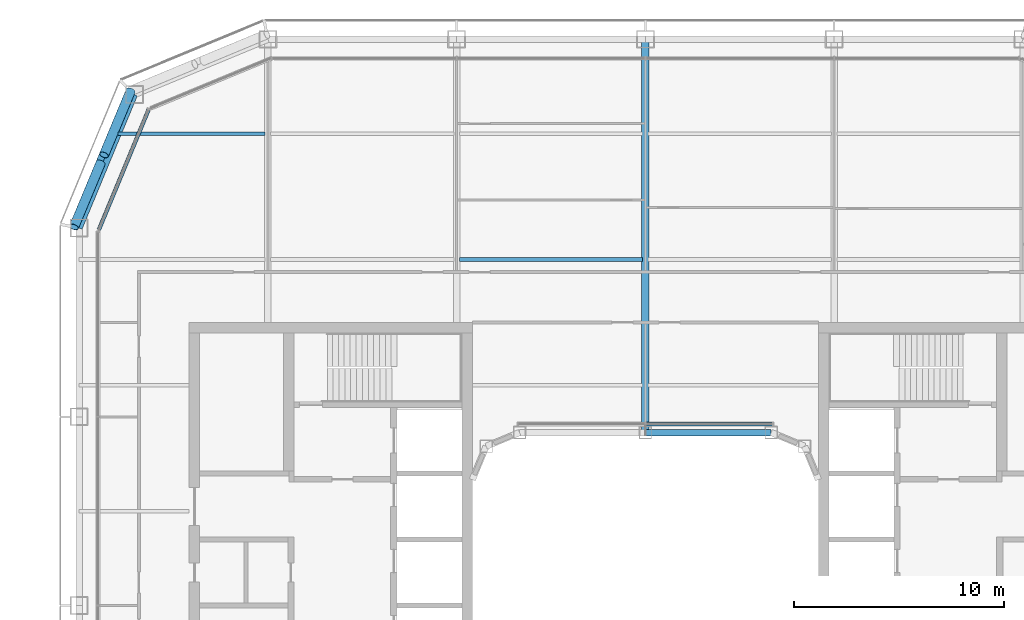
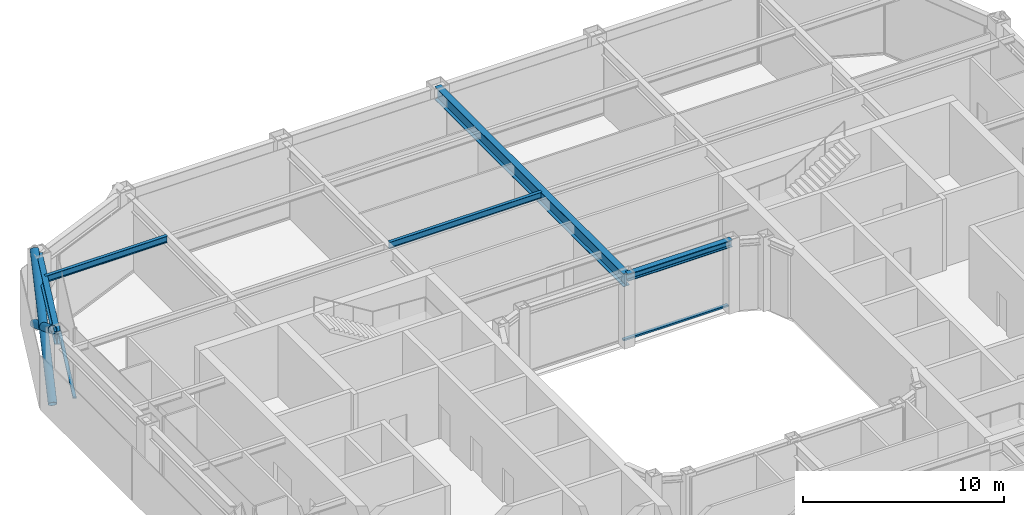
# One storey, part 7 of 24: 5 beams, 5 members, 2 elements without a shape of their own.
"""IFC4 building model written with IfcOpenShell, lengths in metres."""

from ifc_helpers import new_model, si_unit, direction, frame, origin, origin_2d, place, context, subcontext, project, spatial, rectangle, hollow_circle, i_section, extrude, material, layer, layer_set, material_profile, profile_set, type_object, element, aggregate, save


model = new_model("IFC4")

# Units and contexts
model_context = context("Model", 3, precision=1e-05, world=origin(), true_north=direction((0.0, 1.0)))
body_context = subcontext(model_context, "Body", "Model", "MODEL_VIEW")
ifc_project = project(units=[si_unit("LENGTHUNIT", "METRE"), si_unit("AREAUNIT", "SQUARE_METRE"), si_unit("VOLUMEUNIT", "CUBIC_METRE"), si_unit("PLANEANGLEUNIT", "RADIAN"), si_unit("MASSUNIT", "GRAM", prefix="KILO")], contexts=[model_context])

# Site, building, storey
site_placement = place(None, origin())
site = spatial("IfcSite", under=ifc_project, at=site_placement, CompositionType="ELEMENT")
building_placement = place(site_placement, origin())
building = spatial("IfcBuilding", under=site, at=building_placement, Name="Siwar Civic Tower", CompositionType="ELEMENT")
storey_placement = place(building_placement, frame((0.0, 0.0, 215.199951171875)))
storey = spatial("IfcBuildingStorey", under=building, at=storey_placement, Name="L46", CompositionType="ELEMENT", Elevation=215.199951171875)

# Curtain wall, member
ifc_material_1 = material(Name="Aluminium clad insulated panel", Category="aluminium")
ifc_layer_1 = layer(ifc_material_1, 0.179931640625)
ifc_layer_set_1 = layer_set([ifc_layer_1], Name="Aluminium clad insulated panel")
curtain_wall_type_1 = type_object("IfcCurtainWallType", Name="ENV-CW-CX", PredefinedType="NOTDEFINED", material=ifc_layer_set_1)
curtain_wall_1_placement = place(storey_placement, origin())
curtain_wall_1 = element("IfcCurtainWall", 1, at=curtain_wall_1_placement, inside=storey, type_object=curtain_wall_type_1, Name="Curtain wall C NW2", PredefinedType="NOTDEFINED")
ifc_material_2 = material(Name="Aluminium 6063-T6", Category="aluminium")
ifc_material_profile_1 = material_profile(ifc_material_2, rectangle(XDim=0.179931640625, YDim=0.10009765625, at=origin_2d()), Name="AL 180x100")
ifc_profile_set_1 = profile_set([ifc_material_profile_1], Name="Aluminium 6063-T6")
member_type_1 = type_object("IfcMemberType", Name="ENV-TRANSOM-C", PredefinedType="USERDEFINED", material=ifc_profile_set_1)
member_1_placement = place(storey_placement, frame((-23.6865234375, 23.6474609375, 0.050048828125), z_axis=(-0.382691366456, -0.923876246063, 0.0), x_axis=(0.923876246063, -0.382691366456, 0.0)))
member_1 = element("IfcMember", 2, at=member_1_placement, type_object=member_type_1, Name="Transom C NW2 1", ObjectType="TRANSOM", PredefinedType="USERDEFINED", context=body_context, shape_type="SweptSolid", body=[
    extrude(rectangle(XDim=0.179931640625, YDim=0.10009765625, at=origin_2d()), origin(), (0.0, 0.0, 1.0), 6.20166015625),
])
aggregate(curtain_wall_1, [member_1])

ifc_material_3 = material(Name="Aluminium and glass", Category="aluminium")
ifc_layer_2 = layer(ifc_material_3, 0.179931640625)
ifc_layer_set_2 = layer_set([ifc_layer_2], Name="Aluminium and glass")
curtain_wall_type_2 = type_object("IfcCurtainWallType", Name="ENV-CW-W", PredefinedType="NOTDEFINED", material=ifc_layer_set_2)
curtain_wall_2_placement = place(storey_placement, origin())
curtain_wall_2 = element("IfcCurtainWall", 3, at=curtain_wall_2_placement, inside=storey, type_object=curtain_wall_type_2, Name="Curtain wall W WN", PredefinedType="NOTDEFINED")
ifc_material_4 = material(Name="Aluminium 6063-T6", Category="aluminium")
ifc_material_profile_2 = material_profile(ifc_material_4, rectangle(XDim=0.179931640625, YDim=0.10009765625, at=origin_2d()), Name="AL 180x100")
ifc_profile_set_2 = profile_set([ifc_material_profile_2], Name="Aluminium 6063-T6")
member_type_2 = type_object("IfcMemberType", Name="ENV-TRANSOM-W", PredefinedType="USERDEFINED", material=ifc_profile_set_2)
member_2_placement = place(storey_placement, frame((6.051513671875, 8.659912109375, 0.050048828125), z_axis=(-1.0, 0.0, 0.0), x_axis=(0.0, -1.0, 0.0)))
member_2 = element("IfcMember", 4, at=member_2_placement, type_object=member_type_2, Name="Transom W WN 1", ObjectType="TRANSOM", PredefinedType="USERDEFINED", context=body_context, shape_type="SweptSolid", body=[
    extrude(rectangle(XDim=0.179931640625, YDim=0.10009765625, at=origin_2d()), origin(), (0.0, 0.0, 1.0), 6.021484375),
])
aggregate(curtain_wall_2, [member_2])

# Members
ifc_material_5 = material(Name="Steel S355", Category="steel")
ifc_material_profile_3 = material_profile(ifc_material_5, hollow_circle(Radius=0.228515625, WallThickness=0.02001953125, at=origin_2d()), Name="CHS457x20")
ifc_profile_set_3 = profile_set([ifc_material_profile_3], Name="Steel S355")
member_type_3 = type_object("IfcMemberType", Name="STR-BR-CHS457x20", PredefinedType="BRACE", material=ifc_profile_set_3)
member_3_placement = place(storey_placement, frame((-27.2451171875, 18.048828125, 0.0), z_axis=(0.323905527954, 0.777554562952, 0.538975055633), x_axis=(-0.923108759191, 0.384538969033, 0.0)))
element("IfcMember", 5, at=member_3_placement, inside=storey, type_object=member_type_3, Name="L46/brc/CNW1-6-0-1", PredefinedType="BRACE", context=body_context, shape_type="SweptSolid", body=[
    extrude(hollow_circle(Radius=0.228515625, WallThickness=0.02001953125, at=origin_2d()), origin(), (0.0, 0.0, 1.0), 8.34912109375),
])
for number, where, z_axis, x_axis, name in (
    (6, (-24.540771484375, 24.540771484375, 0.0), (-0.323884455881, -0.777546448489, 0.538999424564), (0.92311621485, -0.38452107079, 0.0), "L46/brc/CNW1-6-0-2"),
    (7, (-25.972900390625, 21.10302734375, 2.383056640625), (-0.323895306243, -0.777572496853, 0.538955325357), (0.92311621485, -0.38452107079, 0.0), "L46/brc/CNW1-6-0-3"),
):
    element("IfcMember", number, at=place(storey_placement, frame(where, z_axis=z_axis, x_axis=x_axis)), inside=storey, type_object=member_type_3, Name=name, PredefinedType="BRACE", context=body_context, shape_type="SweptSolid", body=[
        extrude(hollow_circle(Radius=0.228515625, WallThickness=0.02001953125, at=origin_2d()), origin(), (0.0, 0.0, 1.0), 3.927978515625),
    ])

# Beams
ifc_material_6 = material(Name="Steel S355", Category="steel")
ifc_material_profile_4 = material_profile(ifc_material_6, i_section(OverallWidth=0.179931640625, OverallDepth=0.39990234375, WebThickness=0.008544921875, FlangeThickness=0.013427734375, FilletRadius=0.02099609375, at=origin_2d()), Name="IPE400")
ifc_profile_set_4 = profile_set([ifc_material_profile_4], Name="Steel S355")
beam_type_1 = type_object("IfcBeamType", Name="STR-FB-IPE400", PredefinedType="JOIST", material=ifc_profile_set_4)
beam_1_placement = place(storey_placement, frame((-8.8701171875, 16.5, 4.150146484375), z_axis=(1.0, 0.0, 0.0), x_axis=(0.0, 1.0, 0.0)))
element("IfcBeam", 8, at=beam_1_placement, inside=storey, type_object=beam_type_1, Name="L46/bm/F033", PredefinedType="JOIST", context=body_context, shape_type="SweptSolid", body=[
    extrude(i_section(OverallWidth=0.179931640625, OverallDepth=0.39990234375, WebThickness=0.008544921875, FlangeThickness=0.013427734375, FilletRadius=0.02099609375, at=origin_2d()), origin(), (0.0, 0.0, 1.0), 8.740234375),
])
beam_2_placement = place(storey_placement, frame((-25.135986328125, 22.5, 4.150146484375), z_axis=(1.0, 0.0, 0.0), x_axis=(0.0, 1.0, 0.0)))
element("IfcBeam", 9, at=beam_2_placement, inside=storey, type_object=beam_type_1, Name="L46/bm/F037", PredefinedType="JOIST", context=body_context, shape_type="SweptSolid", body=[
    extrude(i_section(OverallWidth=0.179931640625, OverallDepth=0.39990234375, WebThickness=0.008544921875, FlangeThickness=0.013427734375, FilletRadius=0.02099609375, at=origin_2d()), origin(), (0.0, 0.0, 1.0), 7.006103515625),
])
ifc_material_7 = material(Name="Steel S355", Category="steel")
ifc_material_profile_5 = material_profile(ifc_material_7, i_section(OverallWidth=0.360107421875, OverallDepth=0.800048828125, WebThickness=0.013916015625, FlangeThickness=0.031982421875, at=origin_2d()), Name="PG800x360x14x32")
ifc_profile_set_5 = profile_set([ifc_material_profile_5], Name="Steel S355")
beam_type_2 = type_object("IfcBeamType", Name="STR-PG-PG800x360x14x32", PredefinedType="BEAM", material=ifc_profile_set_5)
beam_3_placement = place(storey_placement, frame((0.0, 8.25, 3.949951171875), z_axis=(0.0, 1.0, 0.0), x_axis=(-1.0, 0.0, 0.0)))
element("IfcBeam", 10, at=beam_3_placement, inside=storey, type_object=beam_type_2, Name="L46/bm/G06", PredefinedType="BEAM", context=body_context, shape_type="SweptSolid", body=[
    extrude(i_section(OverallWidth=0.360107421875, OverallDepth=0.800048828125, WebThickness=0.013916015625, FlangeThickness=0.031982421875, at=origin_2d()), origin(), (0.0, 0.0, 1.0), 18.75),
])
ifc_material_8 = material(Name="Steel S355", Category="steel")
ifc_material_profile_6 = material_profile(ifc_material_8, i_section(OverallWidth=0.306884765625, OverallDepth=0.431884765625, WebThickness=0.02099609375, FlangeThickness=0.0400390625, FilletRadius=0.027099609375, at=origin_2d()), Name="HEM400")
ifc_profile_set_6 = profile_set([ifc_material_profile_6], Name="Steel S355")
beam_type_3 = type_object("IfcBeamType", Name="STR-RB-HEM400", PredefinedType="BEAM", material=ifc_profile_set_6)
beam_4_placement = place(storey_placement, frame((0.0, 8.25, 4.134033203125), z_axis=(1.0, 0.0, 0.0), x_axis=(0.0, 1.0, 0.0)))
element("IfcBeam", 11, at=beam_4_placement, inside=storey, type_object=beam_type_3, Name="L46/bm/RN2", PredefinedType="BEAM", context=body_context, shape_type="SweptSolid", body=[
    extrude(i_section(OverallWidth=0.306884765625, OverallDepth=0.431884765625, WebThickness=0.02099609375, FlangeThickness=0.0400390625, FilletRadius=0.027099609375, at=origin_2d()), origin(), (0.0, 0.0, 1.0), 6.0),
])
ifc_material_9 = material(Name="Steel S355", Category="steel")
ifc_material_profile_7 = material_profile(ifc_material_9, i_section(OverallWidth=0.300048828125, OverallDepth=0.800048828125, WebThickness=0.017578125, FlangeThickness=0.032958984375, FilletRadius=0.030029296875, at=origin_2d()), Name="HEB800")
ifc_profile_set_7 = profile_set([ifc_material_profile_7], Name="Steel S355")
beam_type_4 = type_object("IfcBeamType", Name="STR-SB-HEB800", PredefinedType="BEAM", material=ifc_profile_set_7)
beam_5_placement = place(storey_placement, frame((-24.364013671875, 24.364013671875, 3.949951171875), z_axis=(-0.382674207535, -0.923883353507, 0.0), x_axis=(0.923883353507, -0.382674207535, 0.0)))
element("IfcBeam", 12, at=beam_5_placement, inside=storey, type_object=beam_type_4, Name="L46/bm/SNW2-0", PredefinedType="BEAM", context=body_context, shape_type="SweptSolid", body=[
    extrude(i_section(OverallWidth=0.300048828125, OverallDepth=0.800048828125, WebThickness=0.017578125, FlangeThickness=0.032958984375, FilletRadius=0.030029296875, at=origin_2d()), origin(), (0.0, 0.0, 1.0), 6.888427734375),
])

save(model, "model.ifc")
